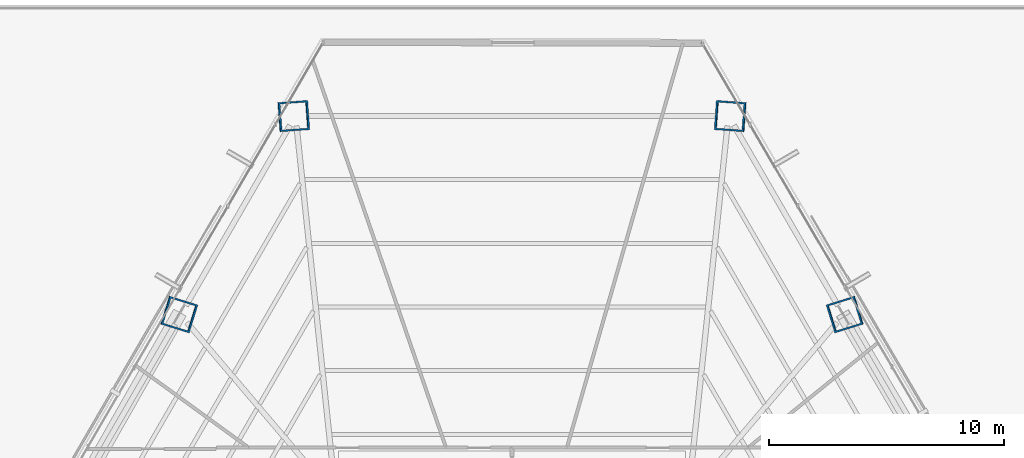
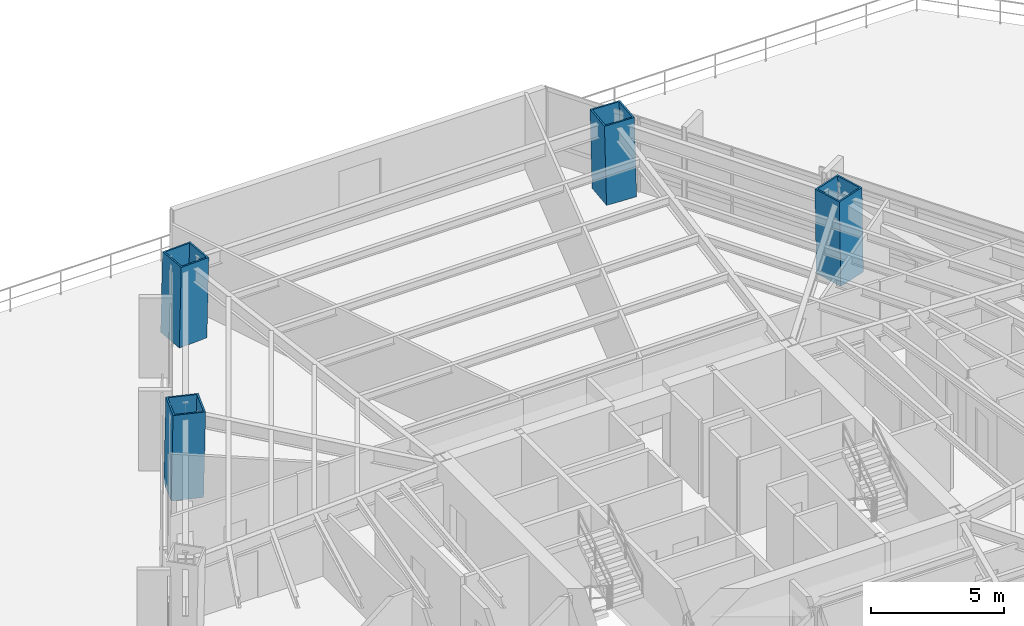
# One storey, part 3 of 35: 4 columns.
"""IFC4 building model written with IfcOpenShell, lengths in metres."""

from ifc_helpers import new_model, si_unit, direction, frame, origin, origin_2d, place, context, subcontext, project, spatial, hollow_rectangle, extrude, source, transform, mapped, material, material_profile, profile_set, type_object, type_shapes, element, save


model = new_model("IFC4")

# Units and contexts
model_context = context("Model", 3, precision=1e-05, world=origin(), true_north=direction((0.0, 1.0)))
body_context = subcontext(model_context, "Body", "Model", "MODEL_VIEW")
ifc_project = project(units=[si_unit("LENGTHUNIT", "METRE"), si_unit("AREAUNIT", "SQUARE_METRE"), si_unit("VOLUMEUNIT", "CUBIC_METRE"), si_unit("PLANEANGLEUNIT", "RADIAN"), si_unit("MASSUNIT", "GRAM", prefix="KILO")], contexts=[model_context])

# Site, building, storey
site_placement = place(None, origin())
site = spatial("IfcSite", under=ifc_project, at=site_placement, CompositionType="ELEMENT")
building_placement = place(site_placement, origin())
building = spatial("IfcBuilding", under=site, at=building_placement, Name="Caelisora Broadcast Tower", CompositionType="ELEMENT")
storey_placement = place(building_placement, frame((0.0, 0.0, 27.60009765625)))
storey = spatial("IfcBuildingStorey", under=building, at=storey_placement, Name="L06", CompositionType="ELEMENT", Elevation=27.60009765625)

# Columns
ifc_material = material(Name="Steel Grade 350 L15 (AS/NZS 3678)", Category="steel")
ifc_material_profile = material_profile(ifc_material, hollow_rectangle(XDim=1.25, YDim=1.25, WallThickness=0.070068359375, at=origin_2d()), Name="Steel Grade 350 L15 (AS/NZS 3678)")
ifc_profile_set = profile_set([ifc_material_profile], Name="Steel Grade 350 L15 (AS/NZS 3678)")
column_type = type_object("IfcColumnType", Name="MC02", PredefinedType="COLUMN", material=ifc_profile_set)
shared_shape_1 = source(origin(), body_context, "Body", "SweptSolid", [
    extrude(hollow_rectangle(XDim=1.25, YDim=1.25, WallThickness=0.070068359375, at=origin_2d()), origin(), (0.0, 0.0, 1.0), 3.65087890625),
])
for number, where, z_axis, x_axis, name in (
    (1, (47.3115234375, 46.27197265625, 0.0), (-0.023872756997, 0.001738632162, 0.999713493273), (-0.07263675076, -0.997358462359, 0.0), "L06 column MC02"),
    (2, (28.6884765625, 46.27197265625, 0.0), (0.023872756997, 0.001738632162, 0.999713493273), (-0.07263675076, 0.997358462359, 0.0), "L06 column MC02"),
):
    element("IfcColumn", number, at=place(storey_placement, frame(where, z_axis=z_axis, x_axis=x_axis)), inside=storey, type_object=column_type, Name=name, PredefinedType="COLUMN", context=body_context, shape_type="MappedRepresentation", body=[
        mapped(shared_shape_1, transform((0.0, 0.0, 0.0), scale=1.0)),
    ])
shared_shape_2 = source(origin(), body_context, "Body", "SweptSolid", [
    extrude(hollow_rectangle(XDim=1.25, YDim=1.25, WallThickness=0.070068359375, at=origin_2d()), origin(), (0.0, 0.0, 1.0), 3.900634765625),
])
type_shapes(column_type, [shared_shape_1, shared_shape_2])
for number, where, z_axis, x_axis, name in (
    (3, (23.81103515625, 37.823974609375, -0.25), (0.018151222073, -0.005633137885, 0.999819384136), (0.296399214872, 0.955064136811, 0.0), "L06 column MC02"),
    (4, (52.18896484375, 37.823974609375, -0.25), (-0.018151222073, -0.005633137885, 0.999819384136), (0.296399214872, -0.955064136811, 0.0), "L06 column MC02"),
):
    element("IfcColumn", number, at=place(storey_placement, frame(where, z_axis=z_axis, x_axis=x_axis)), inside=storey, type_object=column_type, Name=name, PredefinedType="COLUMN", context=body_context, shape_type="MappedRepresentation", body=[
        mapped(shared_shape_2, transform((0.0, 0.0, 0.0), scale=1.0)),
    ])

save(model, "model.ifc")
